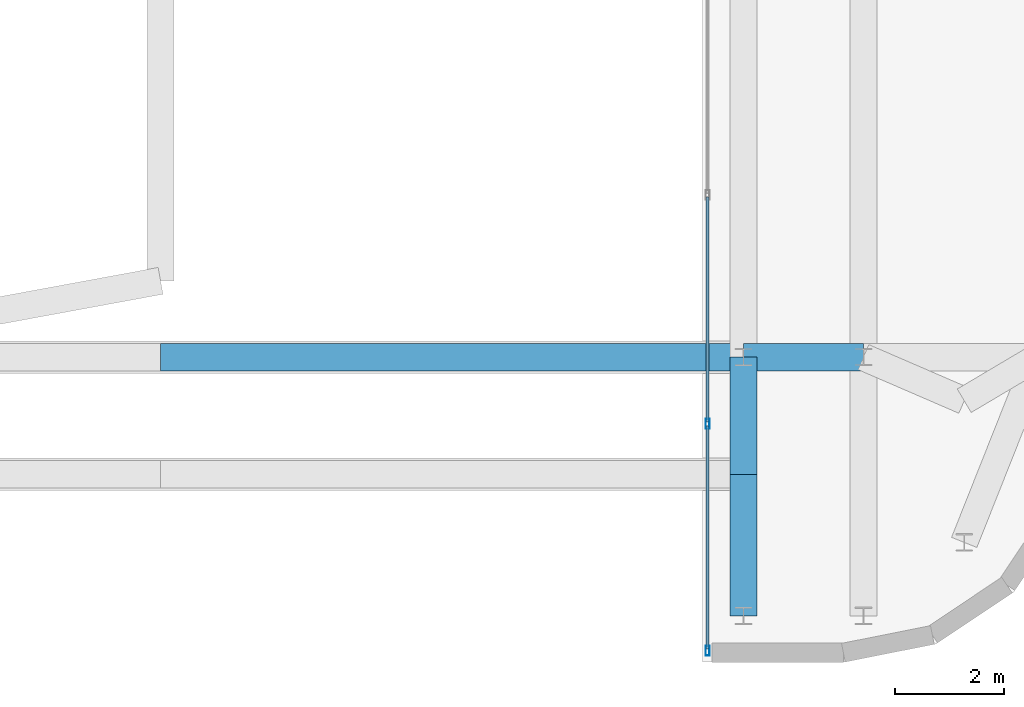
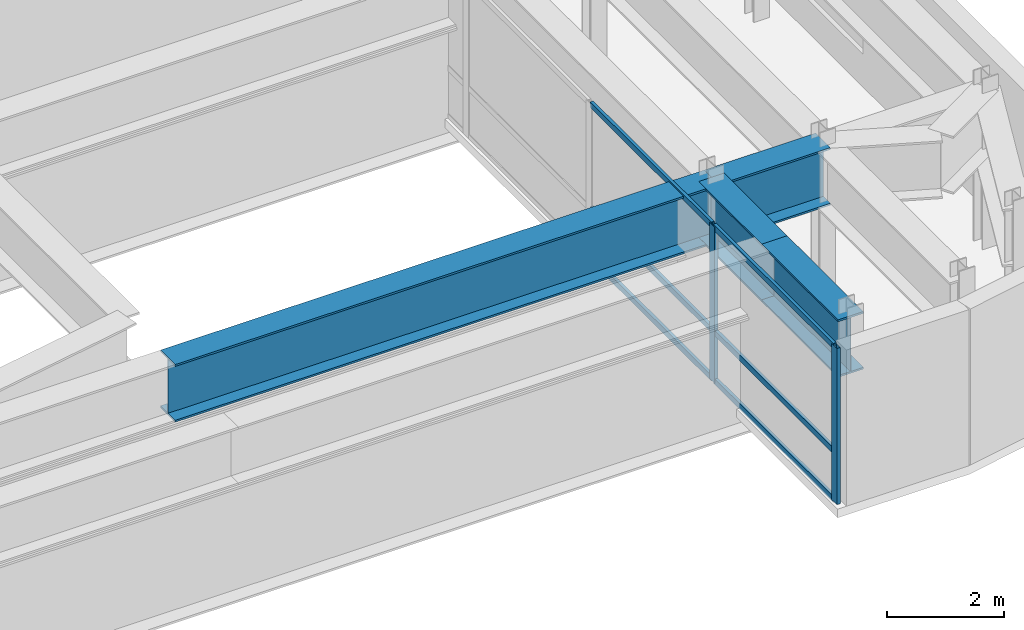
# One storey, part 8 of 21: 8 members, 4 beams, 1 element without a shape of its own.
"""IFC4 building model written with IfcOpenShell, lengths in metres."""

from ifc_helpers import new_model, si_unit, direction, frame, origin, origin_2d, place, context, subcontext, project, spatial, hollow_rectangle, i_section, extrude, source, transform, mapped, material, layer, layer_set, material_profile, profile_set, type_object, type_shapes, element, aggregate, save


model = new_model("IFC4")

# Units and contexts
model_context = context("Model", 3, precision=1e-05, world=origin(), true_north=direction((0.0, 1.0)))
body_context = subcontext(model_context, "Body", "Model", "MODEL_VIEW")
ifc_project = project(units=[si_unit("LENGTHUNIT", "METRE"), si_unit("AREAUNIT", "SQUARE_METRE"), si_unit("VOLUMEUNIT", "CUBIC_METRE"), si_unit("PLANEANGLEUNIT", "RADIAN"), si_unit("MASSUNIT", "GRAM", prefix="KILO")], contexts=[model_context])

# Site, building, storey
site_placement = place(None, origin())
site = spatial("IfcSite", under=ifc_project, at=site_placement, CompositionType="ELEMENT")
building_placement = place(site_placement, origin())
building = spatial("IfcBuilding", under=site, at=building_placement, Name="Tolvann Quenvar Hotel", CompositionType="ELEMENT")
storey_placement = place(building_placement, frame((0.0, 0.0, 266.5)))
storey = spatial("IfcBuildingStorey", under=building, at=storey_placement, Name="L71", CompositionType="ELEMENT", Elevation=266.5)

# Beams
ifc_material_1 = material(Name="Steel Grade 350", Category="steel")
ifc_material_profile_1 = material_profile(ifc_material_1, i_section(OverallWidth=0.5, OverallDepth=1.199951171875, WebThickness=0.01611328125, FlangeThickness=0.0400390625, at=origin_2d()), Name="1200WB455")
ifc_profile_set_1 = profile_set([ifc_material_profile_1], Name="Steel Grade 350")
beam_type = type_object("IfcBeamType", Name="BM_TG_1200WB455", PredefinedType="USERDEFINED", material=ifc_profile_set_1)
shared_shape_1 = source(origin(), body_context, "Body", "SweptSolid", [
    extrude(i_section(OverallWidth=0.5, OverallDepth=1.199951171875, WebThickness=0.01611328125, FlangeThickness=0.0400390625, at=origin_2d()), origin(), (0.0, 0.0, 1.0), 2.199951171875),
])
beam_1_placement = place(storey_placement, frame((32.75, 8.199951171875, 2.64990234375), z_axis=(1.0, 0.0, 0.0), x_axis=(0.0, 1.0, 0.0)))
element("IfcBeam", 1, at=beam_1_placement, inside=storey, type_object=beam_type, Name="BM-L71-EW-3-FP3-F3", ObjectType="TRANSFER GIRDER", PredefinedType="USERDEFINED", context=body_context, shape_type="MappedRepresentation", body=[
    mapped(shared_shape_1, transform((0.0, 0.0, 0.0), x_axis=(1.0, 0.0, 0.0), y_axis=(0.0, 1.0, 0.0), z_axis=(0.0, 0.0, 1.0), scale=1.0)),
])
shared_shape_2 = source(origin(), body_context, "Body", "SweptSolid", [
    extrude(i_section(OverallWidth=0.5, OverallDepth=1.199951171875, WebThickness=0.01611328125, FlangeThickness=0.0400390625, at=origin_2d()), origin(), (0.0, 0.0, 1.0), 2.60009765625),
])
beam_2_placement = place(storey_placement, frame((32.75, 3.449951171875, 2.64990234375), z_axis=(0.0, 1.0, 0.0), x_axis=(-1.0, 0.0, 0.0)))
element("IfcBeam", 2, at=beam_2_placement, inside=storey, type_object=beam_type, Name="TG-L71-NS-FP1", ObjectType="TRANSFER GIRDER", PredefinedType="USERDEFINED", context=body_context, shape_type="MappedRepresentation", body=[
    mapped(shared_shape_2, transform((0.0, 0.0, 0.0), x_axis=(1.0, 0.0, 0.0), y_axis=(0.0, 1.0, 0.0), z_axis=(0.0, 0.0, 1.0), scale=1.0)),
])
shared_shape_3 = source(origin(), body_context, "Body", "SweptSolid", [
    extrude(i_section(OverallWidth=0.5, OverallDepth=1.199951171875, WebThickness=0.01611328125, FlangeThickness=0.0400390625, at=origin_2d()), origin(), (0.0, 0.0, 1.0), 2.14990234375),
])
beam_3_placement = place(storey_placement, frame((32.75, 6.050048828125, 2.64990234375), z_axis=(0.0, 1.0, 0.0), x_axis=(-1.0, 0.0, 0.0)))
element("IfcBeam", 3, at=beam_3_placement, inside=storey, type_object=beam_type, Name="TG-L71-NS-FP2", ObjectType="TRANSFER GIRDER", PredefinedType="USERDEFINED", context=body_context, shape_type="MappedRepresentation", body=[
    mapped(shared_shape_3, transform((0.0, 0.0, 0.0), x_axis=(1.0, 0.0, 0.0), y_axis=(0.0, 1.0, 0.0), z_axis=(0.0, 0.0, 1.0), scale=1.0)),
])
shared_shape_4 = source(origin(), body_context, "Body", "SweptSolid", [
    extrude(i_section(OverallWidth=0.5, OverallDepth=1.199951171875, WebThickness=0.01611328125, FlangeThickness=0.0400390625, at=origin_2d()), origin(), (0.0, 0.0, 1.0), 10.699951171875),
])
type_shapes(beam_type, [shared_shape_1, shared_shape_2, shared_shape_3, shared_shape_4])
beam_4_placement = place(storey_placement, frame((22.050048828125, 8.199951171875, 2.64990234375), z_axis=(1.0, 0.0, 0.0), x_axis=(0.0, 1.0, 0.0)))
element("IfcBeam", 4, at=beam_4_placement, inside=storey, type_object=beam_type, Name="TG-L71-TOP-Y8B", ObjectType="TRANSFER GIRDER", PredefinedType="USERDEFINED", context=body_context, shape_type="MappedRepresentation", body=[
    mapped(shared_shape_4, transform((0.0, 0.0, 0.0), x_axis=(1.0, 0.0, 0.0), y_axis=(0.0, 1.0, 0.0), z_axis=(0.0, 0.0, 1.0), scale=1.0)),
])

# Curtain wall, members
ifc_material_2 = material(Name="Thermally broken anodised architectural aluminium 6063-T6 and laminated low-E glass", Category="aluminium")
ifc_layer = layer(ifc_material_2, 0.179931640625)
ifc_layer_set = layer_set([ifc_layer], Name="Thermally broken anodised architectural aluminium 6063-T6 and laminated low-E glass")
curtain_wall_type = type_object("IfcCurtainWallType", Name="CW_SYS_PORTAL_05", PredefinedType="USERDEFINED", material=ifc_layer_set)
curtain_wall_placement = place(storey_placement, origin())
curtain_wall = element("IfcCurtainWall", 5, at=curtain_wall_placement, inside=storey, type_object=curtain_wall_type, Name="Curtain Wall CW-PORTAL-05 (CWR-L71-E07)", ObjectType="UNITISED CURTAIN WALL", PredefinedType="USERDEFINED")
ifc_material_3 = material(Name="Anodised architectural aluminium 6063-T6 framing", Category="aluminium")
ifc_material_profile_2 = material_profile(ifc_material_3, hollow_rectangle(XDim=0.070068359375, YDim=0.179931640625, WallThickness=0.00390625, at=origin_2d()), Name="180x70x4RHS")
ifc_profile_set_2 = profile_set([ifc_material_profile_2], Name="Anodised architectural aluminium 6063-T6 framing")
member_type_1 = type_object("IfcMemberType", Name="CW_MULL_180x70", PredefinedType="MULLION", material=ifc_profile_set_2)
shared_shape_5 = source(origin(), body_context, "Body", "SweptSolid", [
    extrude(hollow_rectangle(XDim=0.070068359375, YDim=0.179931640625, WallThickness=0.00390625, at=origin_2d()), origin(), (0.0, 0.0, 1.0), 3.25),
])
type_shapes(member_type_1, [shared_shape_5])
member_1_placement = place(storey_placement, frame((32.090087890625, 6.97509765625, 0.0), z_axis=(0.0, 0.0, 1.0), x_axis=(1.0, 0.0, 0.0)))
member_1 = element("IfcMember", 6, at=member_1_placement, type_object=member_type_1, Name="CW-PORTAL-05 mullion 4", PredefinedType="MULLION", context=body_context, shape_type="MappedRepresentation", body=[
    mapped(shared_shape_5, transform((0.0, 0.0, 0.0), x_axis=(1.0, 0.0, 0.0), y_axis=(0.0, 1.0, 0.0), z_axis=(0.0, 0.0, 1.0), scale=1.0)),
])
member_2_placement = place(storey_placement, frame((32.090087890625, 2.81005859375, 0.0), z_axis=(0.0, 0.0, 1.0), x_axis=(1.0, 0.0, 0.0)))
member_2 = element("IfcMember", 7, at=member_2_placement, type_object=member_type_1, Name="CW-PORTAL-05 mullion 5", PredefinedType="MULLION", context=body_context, shape_type="MappedRepresentation", body=[
    mapped(shared_shape_5, transform((0.0, 0.0, 0.0), x_axis=(1.0, 0.0, 0.0), y_axis=(0.0, 1.0, 0.0), z_axis=(0.0, 0.0, 1.0), scale=1.0)),
])
ifc_material_profile_3 = material_profile(ifc_material_3, hollow_rectangle(XDim=0.06005859375, YDim=0.1201171875, WallThickness=0.00341796875, at=origin_2d()), Name="120x60x3.5RHS")
ifc_profile_set_3 = profile_set([ifc_material_profile_3], Name="Anodised architectural aluminium 6063-T6 framing")
member_type_2 = type_object("IfcMemberType", Name="CW_TRAN_120x60", PredefinedType="USERDEFINED", material=ifc_profile_set_3)
shared_shape_6 = source(origin(), body_context, "Body", "SweptSolid", [
    extrude(hollow_rectangle(XDim=0.06005859375, YDim=0.1201171875, WallThickness=0.00341796875, at=origin_2d()), origin(), (0.0, 0.0, 1.0), 4.094970703125),
])
member_3_placement = place(storey_placement, frame((32.090087890625, 6.93994140625, 0.030029296875), z_axis=(0.0, -1.0, 0.0), x_axis=(1.0, 0.0, 0.0)))
member_3 = element("IfcMember", 8, at=member_3_placement, type_object=member_type_2, Name="CW-PORTAL-05 transom 4.1", ObjectType="TRANSOM", PredefinedType="USERDEFINED", context=body_context, shape_type="MappedRepresentation", body=[
    mapped(shared_shape_6, transform((0.0, 0.0, 0.0), x_axis=(1.0, 0.0, 0.0), y_axis=(0.0, 1.0, 0.0), z_axis=(0.0, 0.0, 1.0), scale=1.0)),
])
member_4_placement = place(storey_placement, frame((32.090087890625, 6.93994140625, 1.0400390625), z_axis=(0.0, -1.0, 0.0), x_axis=(1.0, 0.0, 0.0)))
member_4 = element("IfcMember", 9, at=member_4_placement, type_object=member_type_2, Name="CW-PORTAL-05 transom 4.2", ObjectType="TRANSOM", PredefinedType="USERDEFINED", context=body_context, shape_type="MappedRepresentation", body=[
    mapped(shared_shape_6, transform((0.0, 0.0, 0.0), x_axis=(1.0, 0.0, 0.0), y_axis=(0.0, 1.0, 0.0), z_axis=(0.0, 0.0, 1.0), scale=1.0)),
])
member_5_placement = place(storey_placement, frame((32.090087890625, 6.93994140625, 3.219970703125), z_axis=(0.0, -1.0, 0.0), x_axis=(1.0, 0.0, 0.0)))
member_5 = element("IfcMember", 10, at=member_5_placement, type_object=member_type_2, Name="CW-PORTAL-05 transom 4.3", ObjectType="TRANSOM", PredefinedType="USERDEFINED", context=body_context, shape_type="MappedRepresentation", body=[
    mapped(shared_shape_6, transform((0.0, 0.0, 0.0), x_axis=(1.0, 0.0, 0.0), y_axis=(0.0, 1.0, 0.0), z_axis=(0.0, 0.0, 1.0), scale=1.0)),
])
shared_shape_7 = source(origin(), body_context, "Body", "SweptSolid", [
    extrude(hollow_rectangle(XDim=0.06005859375, YDim=0.1201171875, WallThickness=0.00341796875, at=origin_2d()), origin(), (0.0, 0.0, 1.0), 4.1298828125),
])
type_shapes(member_type_2, [shared_shape_6, shared_shape_7])
member_6_placement = place(storey_placement, frame((32.090087890625, 11.139892578125, 0.030029296875), z_axis=(0.0, -1.0, 0.0), x_axis=(1.0, 0.0, 0.0)))
member_6 = element("IfcMember", 11, at=member_6_placement, type_object=member_type_2, Name="CW-PORTAL-05 transom 3.1", ObjectType="TRANSOM", PredefinedType="USERDEFINED", context=body_context, shape_type="MappedRepresentation", body=[
    mapped(shared_shape_7, transform((0.0, 0.0, 0.0), x_axis=(1.0, 0.0, 0.0), y_axis=(0.0, 1.0, 0.0), z_axis=(0.0, 0.0, 1.0), scale=1.0)),
])
member_7_placement = place(storey_placement, frame((32.090087890625, 11.139892578125, 1.0400390625), z_axis=(0.0, -1.0, 0.0), x_axis=(1.0, 0.0, 0.0)))
member_7 = element("IfcMember", 12, at=member_7_placement, type_object=member_type_2, Name="CW-PORTAL-05 transom 3.2", ObjectType="TRANSOM", PredefinedType="USERDEFINED", context=body_context, shape_type="MappedRepresentation", body=[
    mapped(shared_shape_7, transform((0.0, 0.0, 0.0), x_axis=(1.0, 0.0, 0.0), y_axis=(0.0, 1.0, 0.0), z_axis=(0.0, 0.0, 1.0), scale=1.0)),
])
member_8_placement = place(storey_placement, frame((32.090087890625, 11.139892578125, 3.219970703125), z_axis=(0.0, -1.0, 0.0), x_axis=(1.0, 0.0, 0.0)))
member_8 = element("IfcMember", 13, at=member_8_placement, type_object=member_type_2, Name="CW-PORTAL-05 transom 3.3", ObjectType="TRANSOM", PredefinedType="USERDEFINED", context=body_context, shape_type="MappedRepresentation", body=[
    mapped(shared_shape_7, transform((0.0, 0.0, 0.0), x_axis=(1.0, 0.0, 0.0), y_axis=(0.0, 1.0, 0.0), z_axis=(0.0, 0.0, 1.0), scale=1.0)),
])
aggregate(curtain_wall, [member_1, member_2, member_6, member_7, member_8, member_3, member_4, member_5])

save(model, "model.ifc")
